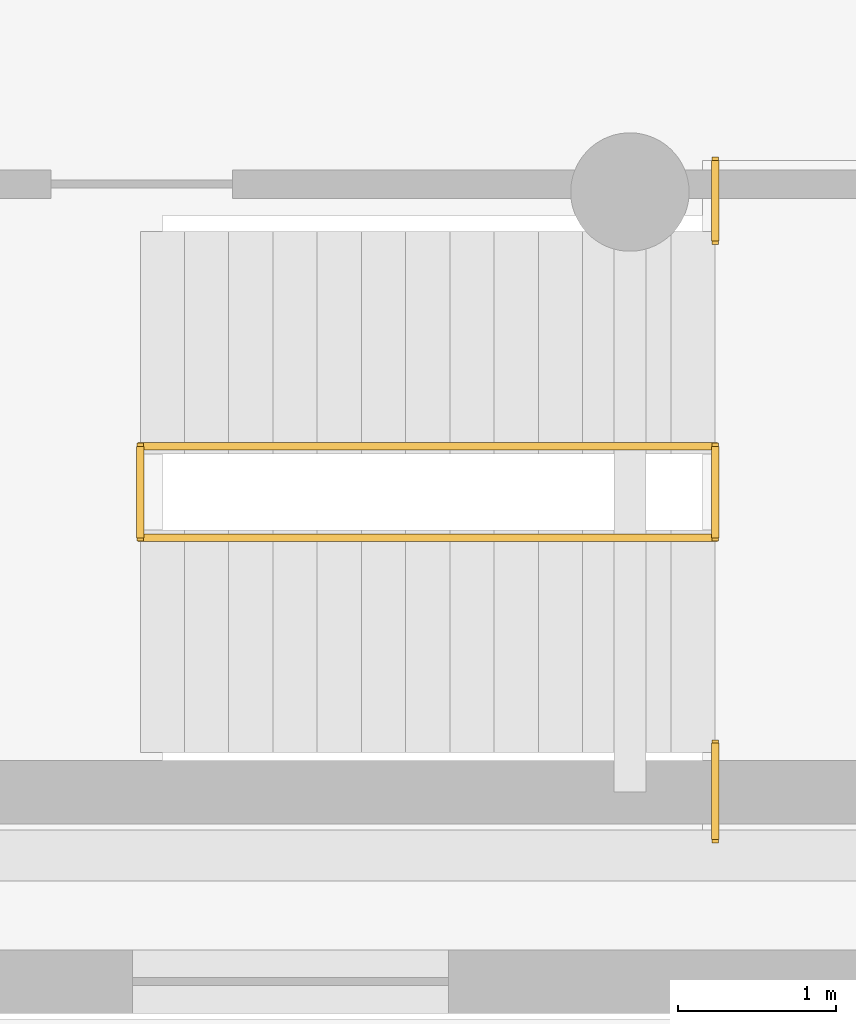
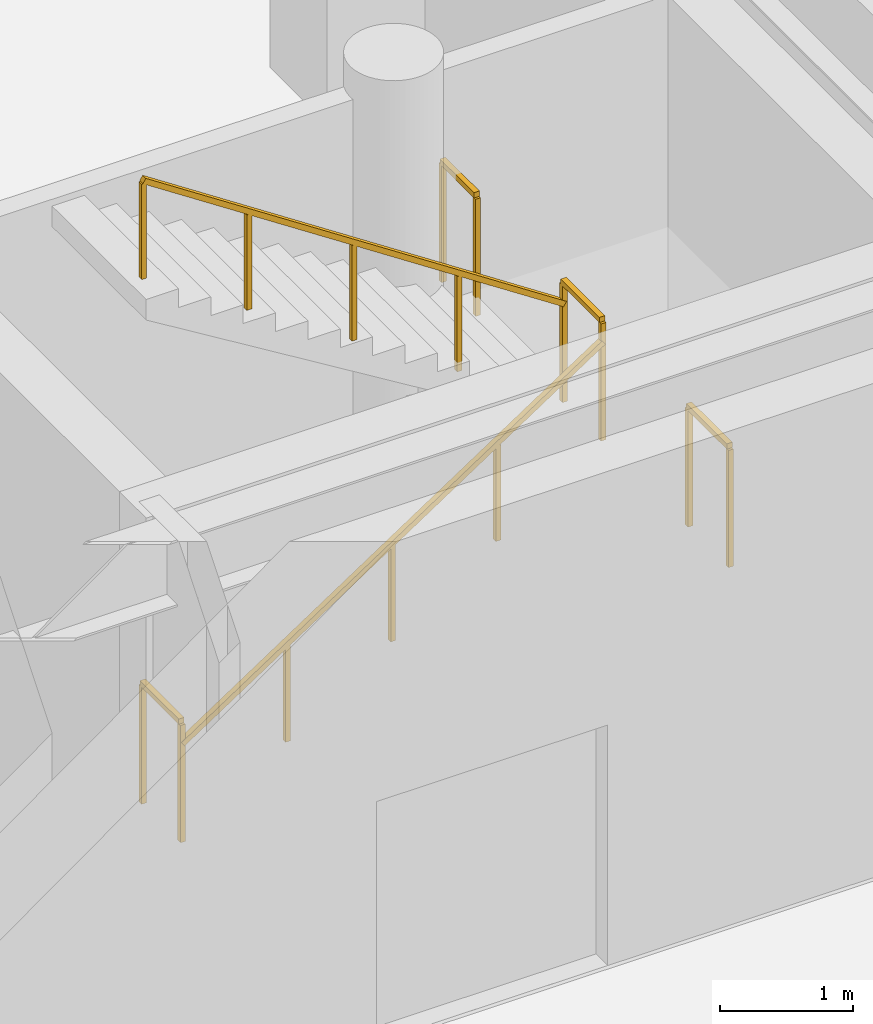
# One storey, part 34 of 35: 6 railings.
"""IFC4 building model written with IfcOpenShell, lengths in metres."""

from ifc_helpers import new_model, si_unit, direction, frame, origin, origin_2d, place, context, subcontext, project, spatial, rectangle, extrude, material, type_object, element, save


model = new_model("IFC4")

# Units and contexts
model_context = context("Model", 3, precision=1e-05, world=origin(), true_north=direction((0.0, 1.0)))
body_context = subcontext(model_context, "Body", "Model", "MODEL_VIEW")
ifc_project = project(units=[si_unit("LENGTHUNIT", "METRE"), si_unit("AREAUNIT", "SQUARE_METRE"), si_unit("VOLUMEUNIT", "CUBIC_METRE"), si_unit("PLANEANGLEUNIT", "RADIAN"), si_unit("MASSUNIT", "GRAM", prefix="KILO")], contexts=[model_context])

# Site, building, storey
site_placement = place(None, origin())
site = spatial("IfcSite", under=ifc_project, at=site_placement, CompositionType="ELEMENT")
building_placement = place(site_placement, origin())
building = spatial("IfcBuilding", under=site, at=building_placement, Name="Kazevale Care Tower and Concert Hall", CompositionType="ELEMENT")
storey_placement = place(building_placement, origin())
storey = spatial("IfcBuildingStorey", under=building, at=storey_placement, Name="L00", CompositionType="ELEMENT", Elevation=0.0)

# Railings
ifc_material = material(Name="Stainless Steel 316", Category="steel")
railing_type_1 = type_object("IfcRailingType", Name="Stair Pitch Handrail 920", PredefinedType="HANDRAIL", material=ifc_material)
railing_1_placement = place(storey_placement, frame((138.949951171875, 17.010009765625, 0.0)))
element("IfcRailing", 1, at=railing_1_placement, inside=storey, type_object=railing_type_1, Name="stair:L00:ST5:hr1", PredefinedType="HANDRAIL", context=body_context, shape_type="SweptSolid", body=[
    extrude(rectangle(XDim=0.048095703125, YDim=0.048095703125, at=origin_2d()), frame((0.0, 0.0, 0.89599609375), z_axis=(0.83488217925, 0.0, 0.55042869363), x_axis=(0.0, 1.0, 0.0)), (0.0, 0.0, 1.0), 4.360107421875),
    extrude(rectangle(XDim=0.0419921875, YDim=0.0419921875, at=origin_2d()), origin(), (0.0, 0.0, 1.0), 0.871826171875),
    extrude(rectangle(XDim=0.0419921875, YDim=0.0419921875, at=origin_2d()), frame((0.91015625, 0.0, 0.60009765625)), (0.0, 0.0, 1.0), 0.871826171875),
    extrude(rectangle(XDim=0.0419921875, YDim=0.0419921875, at=origin_2d()), frame((1.820068359375, 0.0, 1.199951171875)), (0.0, 0.0, 1.0), 0.871826171875),
    extrude(rectangle(XDim=0.0419921875, YDim=0.0419921875, at=origin_2d()), frame((2.72998046875, 0.0, 1.7998046875)), (0.0, 0.0, 1.0), 0.871826171875),
    extrude(rectangle(XDim=0.0419921875, YDim=0.0419921875, at=origin_2d()), frame((3.64013671875, 0.0, 2.39990234375)), (0.0, 0.0, 1.0), 0.871826171875),
])
railing_2_placement = place(storey_placement, frame((142.590087890625, 17.590087890625, 2.39990234375)))
element("IfcRailing", 2, at=railing_2_placement, inside=storey, type_object=railing_type_1, Name="stair:L00:ST5:hr2", PredefinedType="HANDRAIL", context=body_context, shape_type="SweptSolid", body=[
    extrude(rectangle(XDim=0.048095703125, YDim=0.048095703125, at=origin_2d()), frame((0.0, 0.0, 0.89599609375), z_axis=(-0.834856447115, 0.0, 0.55046772177), x_axis=(0.0, -1.0, 0.0)), (0.0, 0.0, 1.0), 4.360107421875),
    extrude(rectangle(XDim=0.0419921875, YDim=0.0419921875, at=origin_2d()), origin(), (0.0, 0.0, 1.0), 0.871826171875),
    extrude(rectangle(XDim=0.0419921875, YDim=0.0419921875, at=origin_2d()), frame((-0.91015625, 0.0, 0.60009765625)), (0.0, 0.0, 1.0), 0.871826171875),
    extrude(rectangle(XDim=0.0419921875, YDim=0.0419921875, at=origin_2d()), frame((-1.820068359375, 0.0, 1.2001953125)), (0.0, 0.0, 1.0), 0.871826171875),
    extrude(rectangle(XDim=0.0419921875, YDim=0.0419921875, at=origin_2d()), frame((-2.72998046875, 0.0, 1.800048828125)), (0.0, 0.0, 1.0), 0.871826171875),
    extrude(rectangle(XDim=0.0419921875, YDim=0.0419921875, at=origin_2d()), frame((-3.64013671875, 0.0, 2.400146484375)), (0.0, 0.0, 1.0), 0.871826171875),
])
railing_type_2 = type_object("IfcRailingType", Name="Stair Well Guard Balustrade 1120", PredefinedType="BALUSTRADE", material=ifc_material)
railing_3_placement = place(storey_placement, frame((142.590087890625, 15.10009765625, 2.39990234375)))
element("IfcRailing", 3, at=railing_3_placement, inside=storey, type_object=railing_type_2, Name="stair:L00:ST5:grd_side1", PredefinedType="BALUSTRADE", context=body_context, shape_type="SweptSolid", body=[
    extrude(rectangle(XDim=0.048095703125, YDim=0.048095703125, at=origin_2d()), frame((0.0, 0.0, 1.09619140625), z_axis=(0.0, 1.0, 0.0), x_axis=(-1.0, 0.0, 0.0)), (0.0, 0.0, 1.0), 0.60986328125),
    extrude(rectangle(XDim=0.0419921875, YDim=0.0419921875, at=origin_2d()), origin(), (0.0, 0.0, 1.0), 1.072021484375),
    extrude(rectangle(XDim=0.0419921875, YDim=0.0419921875, at=origin_2d()), frame((0.0, 0.60986328125, 0.0)), (0.0, 0.0, 1.0), 1.072021484375),
])
railing_4_placement = place(storey_placement, frame((142.590087890625, 18.889892578125, 2.39990234375)))
element("IfcRailing", 4, at=railing_4_placement, inside=storey, type_object=railing_type_2, Name="stair:L00:ST5:grd_side2", PredefinedType="BALUSTRADE", context=body_context, shape_type="SweptSolid", body=[
    extrude(rectangle(XDim=0.048095703125, YDim=0.048095703125, at=origin_2d()), frame((0.0, 0.0, 1.09619140625), z_axis=(0.0, 1.0, 0.0), x_axis=(-1.0, 0.0, 0.0)), (0.0, 0.0, 1.0), 0.510009765625),
    extrude(rectangle(XDim=0.0419921875, YDim=0.0419921875, at=origin_2d()), origin(), (0.0, 0.0, 1.0), 1.072021484375),
    extrude(rectangle(XDim=0.0419921875, YDim=0.0419921875, at=origin_2d()), frame((0.0, 0.510009765625, 0.0)), (0.0, 0.0, 1.0), 1.072021484375),
])
for number, where, name in (
    (5, (142.590087890625, 17.010009765625, 2.39990234375), "stair:L00:ST5:grd_mid"),
    (6, (138.949951171875, 17.010009765625, 0.0), "stair:L00:ST5:grd_flr"),
):
    element("IfcRailing", number, at=place(storey_placement, frame(where)), inside=storey, type_object=railing_type_2, Name=name, PredefinedType="BALUSTRADE", context=body_context, shape_type="SweptSolid", body=[
        extrude(rectangle(XDim=0.048095703125, YDim=0.048095703125, at=origin_2d()), frame((0.0, 0.0, 1.09619140625), z_axis=(0.0, 1.0, 0.0), x_axis=(-1.0, 0.0, 0.0)), (0.0, 0.0, 1.0), 0.580078125),
        extrude(rectangle(XDim=0.0419921875, YDim=0.0419921875, at=origin_2d()), origin(), (0.0, 0.0, 1.0), 1.072021484375),
        extrude(rectangle(XDim=0.0419921875, YDim=0.0419921875, at=origin_2d()), frame((0.0, 0.580078125, 0.0)), (0.0, 0.0, 1.0), 1.072021484375),
    ])

save(model, "model.ifc")
